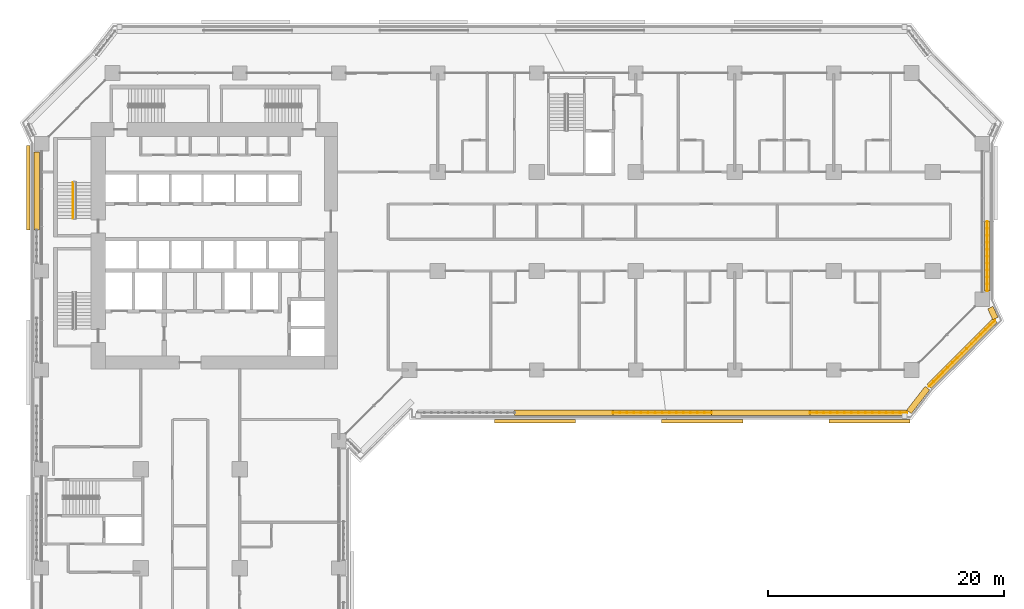
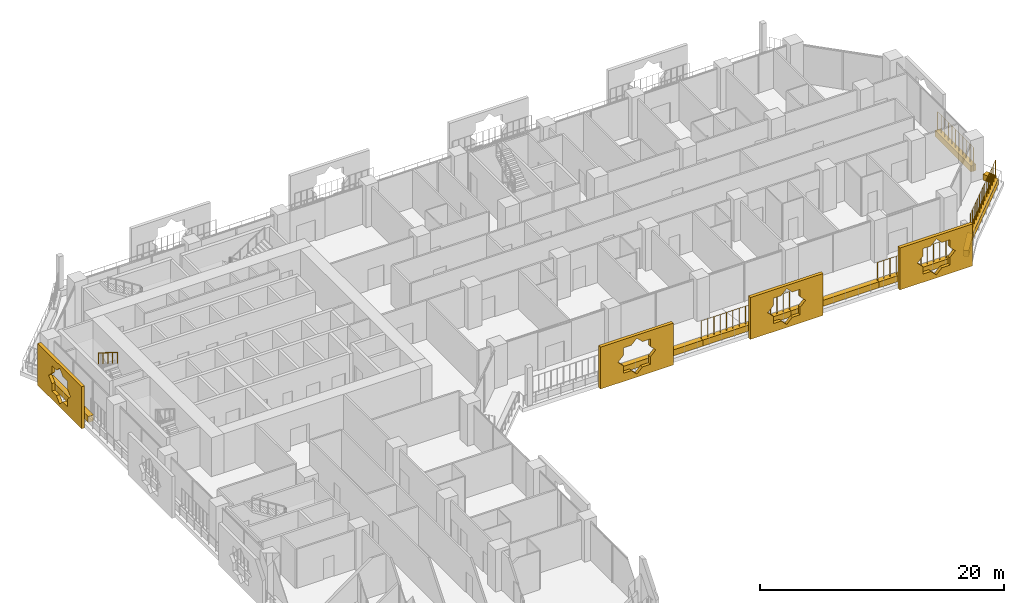
# One storey, part 25 of 28: 13 coverings, 5 railings.
"""IFC4 building model written with IfcOpenShell, lengths in metres."""

from ifc_helpers import new_model, si_unit, direction, frame, origin, origin_2d, place, context, subcontext, project, spatial, polyline, rectangle, circle, outline, extrude, material, material_profile, profile_set, type_object, element, save


model = new_model("IFC4")

# Units and contexts
model_context = context("Model", 3, precision=1e-05, world=origin(), true_north=direction((0.0, 1.0)))
body_context = subcontext(model_context, "Body", "Model", "MODEL_VIEW")
ifc_project = project(units=[si_unit("LENGTHUNIT", "METRE"), si_unit("AREAUNIT", "SQUARE_METRE"), si_unit("VOLUMEUNIT", "CUBIC_METRE"), si_unit("PLANEANGLEUNIT", "RADIAN"), si_unit("MASSUNIT", "GRAM", prefix="KILO")], contexts=[model_context])

# Site, building, storey
site_placement = place(None, origin())
site = spatial("IfcSite", under=ifc_project, at=site_placement, CompositionType="ELEMENT")
building_placement = place(site_placement, origin())
building = spatial("IfcBuilding", under=site, at=building_placement, Name="Kawkab Arch Medical Tower", CompositionType="ELEMENT")
storey_placement = place(building_placement, frame((0.0, 0.0, 68.60009765625)))
storey = spatial("IfcBuildingStorey", under=building, at=storey_placement, Name="L15", CompositionType="ELEMENT", Elevation=68.60009765625)

# Coverings
ifc_material_1 = material(Name="Bronze anodised aluminium mashrabiya panel, eight-point star pattern", Category="aluminium")
ifc_material_profile_1 = material_profile(ifc_material_1, outline(polyline([(-3.449951171875, -2.10009765625), (3.449951171875, -2.10009765625), (3.449951171875, 2.10009765625), (-3.449951171875, 2.10009765625), (-3.449951171875, -2.10009765625)]), holes=[polyline([(1.800048828125, 0.0), (1.272705078125, 0.527099609375), (1.272705078125, 1.272705078125), (0.527099609375, 1.272705078125), (0.0, 1.800048828125), (-0.527099609375, 1.272705078125), (-1.272705078125, 1.272705078125), (-1.272705078125, 0.527099609375), (-1.800048828125, 0.0), (-1.272705078125, -0.527099609375), (-1.272705078125, -1.272705078125), (-0.527099609375, -1.272705078125), (0.0, -1.800048828125), (0.527099609375, -1.272705078125), (1.272705078125, -1.272705078125), (1.272705078125, -0.527099609375), (1.800048828125, 0.0)])]), Name="Mashrabiya panel 6900x4200")
ifc_profile_set_1 = profile_set([ifc_material_profile_1], Name="Bronze anodised aluminium mashrabiya panel, eight-point star pattern")
covering_type_1 = type_object("IfcCoveringType", Name="Mashrabiya panel 6900 x 4200", PredefinedType="USERDEFINED", material=ifc_profile_set_1)
for number, where, z_axis, x_axis, name in (
    (1, (70.226318359375, -29.39990234375, 1.699951171875), (0.0, -1.0, 0.0), (1.0, 0.0, 0.0), "Mashrabiya panel L15.LOG-01-01.11"),
    (2, (56.05126953125, -29.39990234375, 1.699951171875), (0.0, -1.0, 0.0), (1.0, 0.0, 0.0), "Mashrabiya panel L15.LOG-01-01.12"),
    (3, (41.856201171875, -29.39990234375, 1.699951171875), (0.0, -1.0, 0.0), (1.0, 0.0, 0.0), "Mashrabiya panel L15.LOG-01-01.13"),
):
    element("IfcCovering", number, at=place(storey_placement, frame(where, z_axis=z_axis, x_axis=x_axis)), inside=storey, type_object=covering_type_1, Name=name, ObjectType="SCREEN", PredefinedType="USERDEFINED", context=body_context, shape_type="SweptSolid", body=[
        extrude(outline(polyline([(-3.449951171875, -2.10009765625), (3.449951171875, -2.10009765625), (3.449951171875, 2.10009765625), (-3.449951171875, 2.10009765625), (-3.449951171875, -2.10009765625)]), holes=[polyline([(1.800048828125, 0.0), (1.272705078125, 0.527099609375), (1.272705078125, 1.272705078125), (0.527099609375, 1.272705078125), (0.0, 1.800048828125), (-0.527099609375, 1.272705078125), (-1.272705078125, 1.272705078125), (-1.272705078125, 0.527099609375), (-1.800048828125, 0.0), (-1.272705078125, -0.527099609375), (-1.272705078125, -1.272705078125), (-0.527099609375, -1.272705078125), (0.0, -1.800048828125), (0.527099609375, -1.272705078125), (1.272705078125, -1.272705078125), (1.272705078125, -0.527099609375), (1.800048828125, 0.0)])]), origin(), (0.0, 0.0, 1.0), 0.300048828125),
    ])
ifc_material_2 = material(Name="Bronze anodised aluminium mashrabiya panel, eight-point star pattern", Category="aluminium")
ifc_material_profile_2 = material_profile(ifc_material_2, outline(polyline([(-3.60009765625, -2.10009765625), (3.60009765625, -2.10009765625), (3.60009765625, 2.10009765625), (-3.60009765625, 2.10009765625), (-3.60009765625, -2.10009765625)]), holes=[polyline([(1.800048828125, 0.0), (1.272705078125, 0.527099609375), (1.272705078125, 1.272705078125), (0.527099609375, 1.272705078125), (0.0, 1.800048828125), (-0.527099609375, 1.272705078125), (-1.272705078125, 1.272705078125), (-1.272705078125, 0.527099609375), (-1.800048828125, 0.0), (-1.272705078125, -0.527099609375), (-1.272705078125, -1.272705078125), (-0.527099609375, -1.272705078125), (0.0, -1.800048828125), (0.527099609375, -1.272705078125), (1.272705078125, -1.272705078125), (1.272705078125, -0.527099609375), (1.800048828125, 0.0)])]), Name="Mashrabiya panel 7200x4200")
ifc_profile_set_2 = profile_set([ifc_material_profile_2], Name="Bronze anodised aluminium mashrabiya panel, eight-point star pattern")
covering_type_2 = type_object("IfcCoveringType", Name="Mashrabiya panel 7200 x 4200", PredefinedType="USERDEFINED", material=ifc_profile_set_2)
covering_1_placement = place(storey_placement, frame((-1.0, -9.730712890625, 1.699951171875), z_axis=(-1.0, 0.0, 0.0), x_axis=(0.0, -1.0, 0.0)))
element("IfcCovering", 4, at=covering_1_placement, inside=storey, type_object=covering_type_2, Name="Mashrabiya panel L15.LOG-01-01.5", ObjectType="SCREEN", PredefinedType="USERDEFINED", context=body_context, shape_type="SweptSolid", body=[
    extrude(outline(polyline([(-3.60009765625, -2.10009765625), (3.60009765625, -2.10009765625), (3.60009765625, 2.10009765625), (-3.60009765625, 2.10009765625), (-3.60009765625, -2.10009765625)]), holes=[polyline([(1.800048828125, 0.0), (1.272705078125, 0.527099609375), (1.272705078125, 1.272705078125), (0.527099609375, 1.272705078125), (0.0, 1.800048828125), (-0.527099609375, 1.272705078125), (-1.272705078125, 1.272705078125), (-1.272705078125, 0.527099609375), (-1.800048828125, 0.0), (-1.272705078125, -0.527099609375), (-1.272705078125, -1.272705078125), (-0.527099609375, -1.272705078125), (0.0, -1.800048828125), (0.527099609375, -1.272705078125), (1.272705078125, -1.272705078125), (1.272705078125, -0.527099609375), (1.800048828125, 0.0)])]), origin(), (0.0, 0.0, 1.0), 0.300048828125),
])
ifc_material_3 = material(Name="Planting soil in a precast trough", Category="concrete")
ifc_material_profile_3 = material_profile(ifc_material_3, rectangle(XDim=0.5, YDim=0.60009765625, at=origin_2d()), Name="Trough 500x600")
ifc_profile_set_3 = profile_set([ifc_material_profile_3], Name="Planting soil in a precast trough")
covering_type_3 = type_object("IfcCoveringType", Name="Planter trough 500 x 600", PredefinedType="USERDEFINED", material=ifc_profile_set_3)
covering_2_placement = place(storey_placement, frame((-0.419921875, -13.3310546875, 0.2998046875), z_axis=(0.0, 1.0, 0.0), x_axis=(-1.0, 0.0, 0.0)))
element("IfcCovering", 5, at=covering_2_placement, inside=storey, type_object=covering_type_3, Name="Planter L15.LOG-01-01.16", ObjectType="PLANTER", PredefinedType="USERDEFINED", context=body_context, shape_type="SweptSolid", body=[
    extrude(rectangle(XDim=0.5, YDim=0.60009765625, at=origin_2d()), origin(), (0.0, 0.0, 1.0), 6.6259765625),
])
covering_3_placement = place(storey_placement, frame((80.219970703125, -12.60009765625, 0.2998046875), z_axis=(0.0, -1.0, 0.0), x_axis=(1.0, 0.0, 0.0)))
element("IfcCovering", 6, at=covering_3_placement, inside=storey, type_object=covering_type_3, Name="Planter L15.LOG-01-01.33", ObjectType="PLANTER", PredefinedType="USERDEFINED", context=body_context, shape_type="SweptSolid", body=[
    extrude(rectangle(XDim=0.5, YDim=0.60009765625, at=origin_2d()), origin(), (0.0, 0.0, 1.0), 5.89501953125),
])
covering_4_placement = place(storey_placement, frame((80.48095703125, -19.89794921875, 0.2998046875), z_axis=(0.415071571878, -0.909788761317, 0.0), x_axis=(0.909788761317, 0.415071571878, 0.0)))
element("IfcCovering", 7, at=covering_4_placement, inside=storey, type_object=covering_type_3, Name="Planter L15.LOG-01-01.34", ObjectType="PLANTER", PredefinedType="USERDEFINED", context=body_context, shape_type="SweptSolid", body=[
    extrude(rectangle(XDim=0.5, YDim=0.60009765625, at=origin_2d()), origin(), (0.0, 0.0, 1.0), 1.0146484375),
])
covering_5_placement = place(storey_placement, frame((80.873046875, -20.98291015625, 0.2998046875), z_axis=(-0.707106781187, -0.707106781187, 0.0), x_axis=(0.707106781187, -0.707106781187, 0.0)))
element("IfcCovering", 8, at=covering_5_placement, inside=storey, type_object=covering_type_3, Name="Planter L15.LOG-01-01.35", ObjectType="PLANTER", PredefinedType="USERDEFINED", context=body_context, shape_type="SweptSolid", body=[
    extrude(rectangle(XDim=0.5, YDim=0.60009765625, at=origin_2d()), origin(), (0.0, 0.0, 1.0), 7.919677734375),
])
covering_6_placement = place(storey_placement, frame((75.14111328125, -26.73193359375, 0.2998046875), z_axis=(-0.614099956103, -0.789228258436, 0.0), x_axis=(0.789228258436, -0.614099956103, 0.0)))
element("IfcCovering", 9, at=covering_6_placement, inside=storey, type_object=covering_type_3, Name="Planter L15.LOG-01-01.36", ObjectType="PLANTER", PredefinedType="USERDEFINED", context=body_context, shape_type="SweptSolid", body=[
    extrude(rectangle(XDim=0.5, YDim=0.60009765625, at=origin_2d()), origin(), (0.0, 0.0, 1.0), 2.545654296875),
])
covering_7_placement = place(storey_placement, frame((73.416015625, -28.820068359375, 0.2998046875), z_axis=(-1.0, 0.0, 0.0), x_axis=(0.0, -1.0, 0.0)))
element("IfcCovering", 10, at=covering_7_placement, inside=storey, type_object=covering_type_3, Name="Planter L15.LOG-01-01.37", ObjectType="PLANTER", PredefinedType="USERDEFINED", context=body_context, shape_type="SweptSolid", body=[
    extrude(rectangle(XDim=0.5, YDim=0.60009765625, at=origin_2d()), origin(), (0.0, 0.0, 1.0), 8.2470703125),
])
for number, where, z_axis, x_axis, name in (
    (11, (65.1689453125, -28.820068359375, 0.2998046875), (-1.0, 0.0, 0.0), (0.0, -1.0, 0.0), "Planter L15.LOG-01-01.38"),
    (12, (56.822021484375, -28.820068359375, 0.2998046875), (-1.0, 0.0, 0.0), (0.0, -1.0, 0.0), "Planter L15.LOG-01-01.39"),
):
    element("IfcCovering", number, at=place(storey_placement, frame(where, z_axis=z_axis, x_axis=x_axis)), inside=storey, type_object=covering_type_3, Name=name, ObjectType="PLANTER", PredefinedType="USERDEFINED", context=body_context, shape_type="SweptSolid", body=[
        extrude(rectangle(XDim=0.5, YDim=0.60009765625, at=origin_2d()), origin(), (0.0, 0.0, 1.0), 8.346923828125),
    ])
covering_8_placement = place(storey_placement, frame((48.47509765625, -28.820068359375, 0.2998046875), z_axis=(-1.0, 0.0, 0.0), x_axis=(0.0, -1.0, 0.0)))
element("IfcCovering", 13, at=covering_8_placement, inside=storey, type_object=covering_type_3, Name="Planter L15.LOG-01-01.40", ObjectType="PLANTER", PredefinedType="USERDEFINED", context=body_context, shape_type="SweptSolid", body=[
    extrude(rectangle(XDim=0.5, YDim=0.60009765625, at=origin_2d()), origin(), (0.0, 0.0, 1.0), 8.34814453125),
])

# Railings
ifc_material_4 = material(Name="Bronze anodised aluminium trellis for climbing plants", Category="aluminium")
railing_type_1 = type_object("IfcRailingType", Name="Planting trellis 2400", PredefinedType="USERDEFINED", material=ifc_material_4)
railing_1_placement = place(storey_placement, frame((80.219970703125, -12.60009765625, 0.0)))
element("IfcRailing", 14, at=railing_1_placement, inside=storey, type_object=railing_type_1, Name="Planting trellis L15.LOG-01-01.33", ObjectType="TRELLIS", PredefinedType="USERDEFINED", context=body_context, shape_type="SweptSolid", body=[
    extrude(circle(Radius=0.01513671875, at=origin_2d()), frame((0.0, 0.0, 2.384765625), z_axis=(0.0, -1.0, 0.0), x_axis=(1.0, 0.0, 0.0)), (0.0, 0.0, 1.0), 5.89501953125),
    extrude(circle(Radius=0.030029296875, at=origin_2d()), origin(), (0.0, 0.0, 1.0), 2.369873046875),
    extrude(circle(Radius=0.030029296875, at=origin_2d()), frame((0.0, -0.589599609375, 0.0)), (0.0, 0.0, 1.0), 2.369873046875),
    extrude(circle(Radius=0.030029296875, at=origin_2d()), frame((0.0, -1.178955078125, 0.0)), (0.0, 0.0, 1.0), 2.369873046875),
    extrude(circle(Radius=0.030029296875, at=origin_2d()), frame((0.0, -1.7685546875, 0.0)), (0.0, 0.0, 1.0), 2.369873046875),
    extrude(circle(Radius=0.030029296875, at=origin_2d()), frame((0.0, -2.35791015625, 0.0)), (0.0, 0.0, 1.0), 2.369873046875),
    extrude(circle(Radius=0.030029296875, at=origin_2d()), frame((0.0, -2.947509765625, 0.0)), (0.0, 0.0, 1.0), 2.369873046875),
    extrude(circle(Radius=0.030029296875, at=origin_2d()), frame((0.0, -3.537109375, 0.0)), (0.0, 0.0, 1.0), 2.369873046875),
    extrude(circle(Radius=0.030029296875, at=origin_2d()), frame((0.0, -4.12646484375, 0.0)), (0.0, 0.0, 1.0), 2.369873046875),
    extrude(circle(Radius=0.030029296875, at=origin_2d()), frame((0.0, -4.716064453125, 0.0)), (0.0, 0.0, 1.0), 2.369873046875),
    extrude(circle(Radius=0.030029296875, at=origin_2d()), frame((0.0, -5.305419921875, 0.0)), (0.0, 0.0, 1.0), 2.369873046875),
    extrude(circle(Radius=0.030029296875, at=origin_2d()), frame((0.0, -5.89501953125, 0.0)), (0.0, 0.0, 1.0), 2.369873046875),
])
railing_2_placement = place(storey_placement, frame((80.873046875, -20.98291015625, 0.0)))
element("IfcRailing", 15, at=railing_2_placement, inside=storey, type_object=railing_type_1, Name="Planting trellis L15.LOG-01-01.35", ObjectType="TRELLIS", PredefinedType="USERDEFINED", context=body_context, shape_type="SweptSolid", body=[
    extrude(circle(Radius=0.01513671875, at=origin_2d()), frame((0.0, 0.0, 2.384765625), z_axis=(-0.707106781187, -0.707106781187, 0.0), x_axis=(0.707106781187, -0.707106781187, 0.0)), (0.0, 0.0, 1.0), 7.919677734375),
    extrude(circle(Radius=0.030029296875, at=origin_2d()), origin(), (0.0, 0.0, 1.0), 2.369873046875),
    extrude(circle(Radius=0.030029296875, at=origin_2d()), frame((-0.39990234375, -0.39990234375, 0.0)), (0.0, 0.0, 1.0), 2.369873046875),
    extrude(circle(Radius=0.030029296875, at=origin_2d()), frame((-0.800048828125, -0.800048828125, 0.0)), (0.0, 0.0, 1.0), 2.369873046875),
    extrude(circle(Radius=0.030029296875, at=origin_2d()), frame((-1.199951171875, -1.199951171875, 0.0)), (0.0, 0.0, 1.0), 2.369873046875),
    extrude(circle(Radius=0.030029296875, at=origin_2d()), frame((-1.60009765625, -1.60009765625, 0.0)), (0.0, 0.0, 1.0), 2.369873046875),
    extrude(circle(Radius=0.030029296875, at=origin_2d()), frame((-2.0, -2.0, 0.0)), (0.0, 0.0, 1.0), 2.369873046875),
    extrude(circle(Radius=0.030029296875, at=origin_2d()), frame((-2.400146484375, -2.400146484375, 0.0)), (0.0, 0.0, 1.0), 2.369873046875),
    extrude(circle(Radius=0.030029296875, at=origin_2d()), frame((-2.800048828125, -2.800048828125, 0.0)), (0.0, 0.0, 1.0), 2.369873046875),
    extrude(circle(Radius=0.030029296875, at=origin_2d()), frame((-3.199951171875, -3.199951171875, 0.0)), (0.0, 0.0, 1.0), 2.369873046875),
    extrude(circle(Radius=0.030029296875, at=origin_2d()), frame((-3.60009765625, -3.60009765625, 0.0)), (0.0, 0.0, 1.0), 2.369873046875),
    extrude(circle(Radius=0.030029296875, at=origin_2d()), frame((-4.0, -4.0, 0.0)), (0.0, 0.0, 1.0), 2.369873046875),
    extrude(circle(Radius=0.030029296875, at=origin_2d()), frame((-4.400146484375, -4.400146484375, 0.0)), (0.0, 0.0, 1.0), 2.369873046875),
    extrude(circle(Radius=0.030029296875, at=origin_2d()), frame((-4.800048828125, -4.800048828125, 0.0)), (0.0, 0.0, 1.0), 2.369873046875),
    extrude(circle(Radius=0.030029296875, at=origin_2d()), frame((-5.2001953125, -5.2001953125, 0.0)), (0.0, 0.0, 1.0), 2.369873046875),
    extrude(circle(Radius=0.030029296875, at=origin_2d()), frame((-5.60009765625, -5.60009765625, 0.0)), (0.0, 0.0, 1.0), 2.369873046875),
])
railing_3_placement = place(storey_placement, frame((73.416015625, -28.820068359375, 0.0)))
element("IfcRailing", 16, at=railing_3_placement, inside=storey, type_object=railing_type_1, Name="Planting trellis L15.LOG-01-01.37", ObjectType="TRELLIS", PredefinedType="USERDEFINED", context=body_context, shape_type="SweptSolid", body=[
    extrude(circle(Radius=0.01513671875, at=origin_2d()), frame((0.0, 0.0, 2.384765625), z_axis=(-1.0, 0.0, 0.0), x_axis=(0.0, -1.0, 0.0)), (0.0, 0.0, 1.0), 8.2470703125),
    extrude(circle(Radius=0.030029296875, at=origin_2d()), origin(), (0.0, 0.0, 1.0), 2.369873046875),
    extrude(circle(Radius=0.030029296875, at=origin_2d()), frame((-0.589111328125, 0.0, 0.0)), (0.0, 0.0, 1.0), 2.369873046875),
    extrude(circle(Radius=0.030029296875, at=origin_2d()), frame((-1.17822265625, 0.0, 0.0)), (0.0, 0.0, 1.0), 2.369873046875),
    extrude(circle(Radius=0.030029296875, at=origin_2d()), frame((-1.767333984375, 0.0, 0.0)), (0.0, 0.0, 1.0), 2.369873046875),
    extrude(circle(Radius=0.030029296875, at=origin_2d()), frame((-2.356201171875, 0.0, 0.0)), (0.0, 0.0, 1.0), 2.369873046875),
    extrude(circle(Radius=0.030029296875, at=origin_2d()), frame((-2.9453125, 0.0, 0.0)), (0.0, 0.0, 1.0), 2.369873046875),
    extrude(circle(Radius=0.030029296875, at=origin_2d()), frame((-3.534423828125, 0.0, 0.0)), (0.0, 0.0, 1.0), 2.369873046875),
    extrude(circle(Radius=0.030029296875, at=origin_2d()), frame((-4.12353515625, 0.0, 0.0)), (0.0, 0.0, 1.0), 2.369873046875),
    extrude(circle(Radius=0.030029296875, at=origin_2d()), frame((-4.712646484375, 0.0, 0.0)), (0.0, 0.0, 1.0), 2.369873046875),
    extrude(circle(Radius=0.030029296875, at=origin_2d()), frame((-5.3017578125, 0.0, 0.0)), (0.0, 0.0, 1.0), 2.369873046875),
    extrude(circle(Radius=0.030029296875, at=origin_2d()), frame((-5.890869140625, 0.0, 0.0)), (0.0, 0.0, 1.0), 2.369873046875),
    extrude(circle(Radius=0.030029296875, at=origin_2d()), frame((-6.479736328125, 0.0, 0.0)), (0.0, 0.0, 1.0), 2.369873046875),
    extrude(circle(Radius=0.030029296875, at=origin_2d()), frame((-7.06884765625, 0.0, 0.0)), (0.0, 0.0, 1.0), 2.369873046875),
    extrude(circle(Radius=0.030029296875, at=origin_2d()), frame((-7.657958984375, 0.0, 0.0)), (0.0, 0.0, 1.0), 2.369873046875),
    extrude(circle(Radius=0.030029296875, at=origin_2d()), frame((-8.2470703125, 0.0, 0.0)), (0.0, 0.0, 1.0), 2.369873046875),
])
railing_4_placement = place(storey_placement, frame((56.822021484375, -28.820068359375, 0.0)))
element("IfcRailing", 17, at=railing_4_placement, inside=storey, type_object=railing_type_1, Name="Planting trellis L15.LOG-01-01.39", ObjectType="TRELLIS", PredefinedType="USERDEFINED", context=body_context, shape_type="SweptSolid", body=[
    extrude(circle(Radius=0.01513671875, at=origin_2d()), frame((0.0, 0.0, 2.384765625), z_axis=(-1.0, 0.0, 0.0), x_axis=(0.0, -1.0, 0.0)), (0.0, 0.0, 1.0), 8.346923828125),
    extrude(circle(Radius=0.030029296875, at=origin_2d()), origin(), (0.0, 0.0, 1.0), 2.369873046875),
    extrude(circle(Radius=0.030029296875, at=origin_2d()), frame((-0.59619140625, 0.0, 0.0)), (0.0, 0.0, 1.0), 2.369873046875),
    extrude(circle(Radius=0.030029296875, at=origin_2d()), frame((-1.1923828125, 0.0, 0.0)), (0.0, 0.0, 1.0), 2.369873046875),
    extrude(circle(Radius=0.030029296875, at=origin_2d()), frame((-1.78857421875, 0.0, 0.0)), (0.0, 0.0, 1.0), 2.369873046875),
    extrude(circle(Radius=0.030029296875, at=origin_2d()), frame((-2.384765625, 0.0, 0.0)), (0.0, 0.0, 1.0), 2.369873046875),
    extrude(circle(Radius=0.030029296875, at=origin_2d()), frame((-2.98095703125, 0.0, 0.0)), (0.0, 0.0, 1.0), 2.369873046875),
    extrude(circle(Radius=0.030029296875, at=origin_2d()), frame((-3.5771484375, 0.0, 0.0)), (0.0, 0.0, 1.0), 2.369873046875),
    extrude(circle(Radius=0.030029296875, at=origin_2d()), frame((-4.17333984375, 0.0, 0.0)), (0.0, 0.0, 1.0), 2.369873046875),
    extrude(circle(Radius=0.030029296875, at=origin_2d()), frame((-4.769775390625, 0.0, 0.0)), (0.0, 0.0, 1.0), 2.369873046875),
    extrude(circle(Radius=0.030029296875, at=origin_2d()), frame((-5.365966796875, 0.0, 0.0)), (0.0, 0.0, 1.0), 2.369873046875),
    extrude(circle(Radius=0.030029296875, at=origin_2d()), frame((-5.962158203125, 0.0, 0.0)), (0.0, 0.0, 1.0), 2.369873046875),
    extrude(circle(Radius=0.030029296875, at=origin_2d()), frame((-6.558349609375, 0.0, 0.0)), (0.0, 0.0, 1.0), 2.369873046875),
    extrude(circle(Radius=0.030029296875, at=origin_2d()), frame((-7.154541015625, 0.0, 0.0)), (0.0, 0.0, 1.0), 2.369873046875),
    extrude(circle(Radius=0.030029296875, at=origin_2d()), frame((-7.750732421875, 0.0, 0.0)), (0.0, 0.0, 1.0), 2.369873046875),
    extrude(circle(Radius=0.030029296875, at=origin_2d()), frame((-8.346923828125, 0.0, 0.0)), (0.0, 0.0, 1.0), 2.369873046875),
])
ifc_material_5 = material(Name="Stainless steel", Category="steel")
railing_type_2 = type_object("IfcRailingType", Name="Stair guard 1100", PredefinedType="GUARDRAIL", material=ifc_material_5)
railing_5_placement = place(storey_placement, frame((2.64990234375, -9.27001953125, 2.27490234375)))
element("IfcRailing", 18, at=railing_5_placement, inside=storey, type_object=railing_type_2, Name="L15 ST1 stair guard 3", PredefinedType="GUARDRAIL", context=body_context, shape_type="SweptSolid", body=[
    extrude(circle(Radius=0.02392578125, at=origin_2d()), frame((0.0, 0.0, 1.076171875), z_axis=(0.0, -0.847998304005, 0.529998940003), x_axis=(1.0, 0.0, 0.0)), (0.0, 0.0, 1.0), 3.632080078125),
    extrude(circle(Radius=0.02099609375, at=origin_2d()), origin(), (0.0, 0.0, 1.0), 1.052001953125),
    extrude(circle(Radius=0.02099609375, at=origin_2d()), frame((0.0, -0.77001953125, 0.481201171875)), (0.0, 0.0, 1.0), 1.052001953125),
    extrude(circle(Radius=0.02099609375, at=origin_2d()), frame((0.0, -1.5400390625, 0.96240234375)), (0.0, 0.0, 1.0), 1.052001953125),
    extrude(circle(Radius=0.02099609375, at=origin_2d()), frame((0.0, -2.31005859375, 1.44384765625)), (0.0, 0.0, 1.0), 1.052001953125),
    extrude(circle(Radius=0.02099609375, at=origin_2d()), frame((0.0, -3.080078125, 1.925048828125)), (0.0, 0.0, 1.0), 1.052001953125),
])

save(model, "model.ifc")
